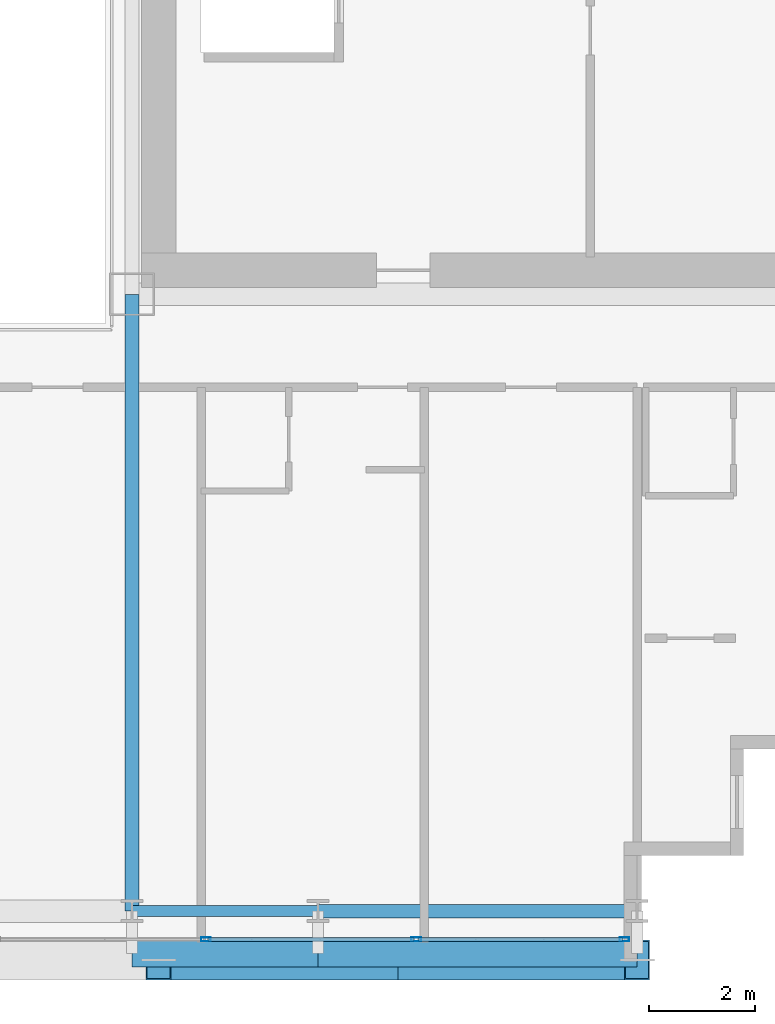
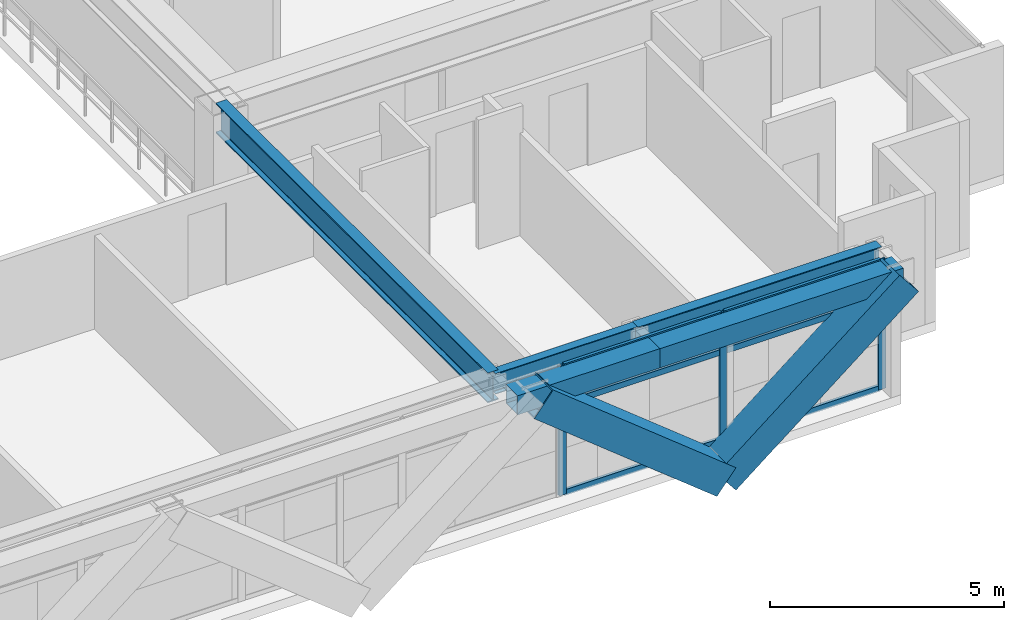
# One storey, part 10 of 35: 11 members, 5 beams, 1 element without a shape of its own.
"""IFC4 building model written with IfcOpenShell, lengths in metres."""

from ifc_helpers import new_model, si_unit, direction, frame, origin, origin_2d, place, context, subcontext, project, spatial, hollow_rectangle, i_section, extrude, source, transform, mapped, material, layer, layer_set, material_profile, profile_set, type_object, element, aggregate, save


model = new_model("IFC4")

# Units and contexts
model_context = context("Model", 3, precision=1e-05, world=origin(), true_north=direction((0.0, 1.0)))
body_context = subcontext(model_context, "Body", "Model", "MODEL_VIEW")
ifc_project = project(units=[si_unit("LENGTHUNIT", "METRE"), si_unit("AREAUNIT", "SQUARE_METRE"), si_unit("VOLUMEUNIT", "CUBIC_METRE"), si_unit("PLANEANGLEUNIT", "RADIAN"), si_unit("MASSUNIT", "GRAM", prefix="KILO")], contexts=[model_context])

# Site, building, storey
site_placement = place(None, origin())
site = spatial("IfcSite", under=ifc_project, at=site_placement, CompositionType="ELEMENT")
building_placement = place(site_placement, origin())
building = spatial("IfcBuilding", under=site, at=building_placement, Name="Ocotamira Hotel", CompositionType="ELEMENT")
storey_placement = place(building_placement, frame((0.0, 0.0, 122.39990234375)))
storey = spatial("IfcBuildingStorey", under=building, at=storey_placement, Name="L30", CompositionType="ELEMENT", Elevation=122.39990234375)

# Beams
ifc_material_1 = material(Name="Steel ASTM A992 Grade 50", Category="steel")
ifc_material_profile_1 = material_profile(ifc_material_1, i_section(OverallWidth=0.256103515625, OverallDepth=0.693115234375, WebThickness=0.014404296875, FlangeThickness=0.023681640625, FilletRadius=0.01611328125, at=origin_2d()), Name="W27X114")
ifc_profile_set_1 = profile_set([ifc_material_profile_1], Name="Steel ASTM A992 Grade 50")
beam_type_1 = type_object("IfcBeamType", Name="BM-PRIM-W27X114", PredefinedType="BEAM", material=ifc_profile_set_1)
shared_shape_1 = source(origin(), body_context, "Body", "SweptSolid", [
    extrude(i_section(OverallWidth=0.256103515625, OverallDepth=0.693115234375, WebThickness=0.014404296875, FlangeThickness=0.023681640625, FilletRadius=0.01611328125, at=origin_2d()), origin(), (0.0, 0.0, 1.0), 6.0),
])
beam_1_placement = place(storey_placement, frame((44.0, 2.949951171875, 3.013671875), z_axis=(1.0, 0.0, 0.0), x_axis=(0.0, 1.0, 0.0)))
element("IfcBeam", 1, at=beam_1_placement, inside=storey, type_object=beam_type_1, Name="L30 Girder Y2.95 X44-50", PredefinedType="BEAM", context=body_context, shape_type="MappedRepresentation", body=[
    mapped(shared_shape_1, transform((0.0, 0.0, 0.0), scale=1.0)),
])
ifc_material_profile_2 = material_profile(ifc_material_1, i_section(OverallWidth=0.2099609375, OverallDepth=0.537109375, WebThickness=0.010986328125, FlangeThickness=0.017333984375, FilletRadius=0.012939453125, at=origin_2d()), Name="W21X68")
ifc_profile_set_2 = profile_set([ifc_material_profile_2], Name="Steel ASTM A992 Grade 50")
beam_type_2 = type_object("IfcBeamType", Name="BM-SEC-W21X68", PredefinedType="JOIST", material=ifc_profile_set_2)
shared_shape_2 = source(origin(), body_context, "Body", "SweptSolid", [
    extrude(i_section(OverallWidth=0.2099609375, OverallDepth=0.537109375, WebThickness=0.010986328125, FlangeThickness=0.017333984375, FilletRadius=0.012939453125, at=origin_2d()), origin(), (0.0, 0.0, 1.0), 3.5),
])
beam_2_placement = place(storey_placement, frame((40.5, 2.949951171875, 3.091552734375), z_axis=(1.0, 0.0, 0.0), x_axis=(0.0, 1.0, 0.0)))
element("IfcBeam", 2, at=beam_2_placement, inside=storey, type_object=beam_type_2, Name="L30 Girder Y2.95 X40.5-44", PredefinedType="JOIST", context=body_context, shape_type="MappedRepresentation", body=[
    mapped(shared_shape_2, transform((0.0, 0.0, 0.0), scale=1.0)),
])
ifc_material_profile_3 = material_profile(ifc_material_1, i_section(OverallWidth=0.26611328125, OverallDepth=0.779052734375, WebThickness=0.0166015625, FlangeThickness=0.030029296875, FilletRadius=0.01806640625, at=origin_2d()), Name="W30X148")
ifc_profile_set_3 = profile_set([ifc_material_profile_3], Name="Steel ASTM A992 Grade 50")
beam_type_3 = type_object("IfcBeamType", Name="BM-GIRD-W30X148", PredefinedType="BEAM", material=ifc_profile_set_3)
shared_shape_3 = source(origin(), body_context, "Body", "SweptSolid", [
    extrude(i_section(OverallWidth=0.26611328125, OverallDepth=0.779052734375, WebThickness=0.0166015625, FlangeThickness=0.030029296875, FilletRadius=0.01806640625, at=origin_2d()), origin(), (0.0, 0.0, 1.0), 11.60009765625),
])
beam_3_placement = place(storey_placement, frame((40.5, 2.949951171875, 2.970703125), z_axis=(0.0, 1.0, 0.0), x_axis=(-1.0, 0.0, 0.0)))
element("IfcBeam", 3, at=beam_3_placement, inside=storey, type_object=beam_type_3, Name="L30 Beam X40.5 Y2.95-14.55", PredefinedType="BEAM", context=body_context, shape_type="MappedRepresentation", body=[
    mapped(shared_shape_3, transform((0.0, 0.0, 0.0), scale=1.0)),
])
ifc_material_2 = material(Name="Steel ASTM A500 Grade C", Category="steel")
ifc_material_profile_4 = material_profile(ifc_material_2, hollow_rectangle(XDim=0.5, YDim=0.5, WallThickness=0.02001953125, at=origin_2d()), Name="HSS500X500X20")
ifc_profile_set_4 = profile_set([ifc_material_profile_4], Name="Steel ASTM A500 Grade C")
beam_type_4 = type_object("IfcBeamType", Name="BM-SPAN-HSS500", PredefinedType="USERDEFINED", material=ifc_profile_set_4)
shared_shape_4 = source(origin(), body_context, "Body", "SweptSolid", [
    extrude(hollow_rectangle(XDim=0.5, YDim=0.5, WallThickness=0.02001953125, at=origin_2d()), origin(), (0.0, 0.0, 1.0), 6.0),
])
beam_4_placement = place(storey_placement, frame((44.0, 2.14990234375, 3.110107421875), z_axis=(1.0, 0.0, 0.0), x_axis=(0.0, 1.0, 0.0)))
element("IfcBeam", 4, at=beam_4_placement, inside=storey, type_object=beam_type_4, Name="L30 Edge Spandrel S X44-50", ObjectType="SPANDREL", PredefinedType="USERDEFINED", context=body_context, shape_type="MappedRepresentation", body=[
    mapped(shared_shape_4, transform((0.0, 0.0, 0.0), scale=1.0)),
])
shared_shape_5 = source(origin(), body_context, "Body", "SweptSolid", [
    extrude(hollow_rectangle(XDim=0.5, YDim=0.5, WallThickness=0.02001953125, at=origin_2d()), origin(), (0.0, 0.0, 1.0), 3.5),
])
beam_5_placement = place(storey_placement, frame((40.5, 2.14990234375, 3.110107421875), z_axis=(1.0, 0.0, 0.0), x_axis=(0.0, 1.0, 0.0)))
element("IfcBeam", 5, at=beam_5_placement, inside=storey, type_object=beam_type_4, Name="L30 Edge Spandrel S X40.5-44", ObjectType="SPANDREL", PredefinedType="USERDEFINED", context=body_context, shape_type="MappedRepresentation", body=[
    mapped(shared_shape_5, transform((0.0, 0.0, 0.0), scale=1.0)),
])

# Members
ifc_material_3 = material(Name="Pale-metal coated steel ASTM A913 Grade 65", Category="steel")
ifc_material_profile_5 = material_profile(ifc_material_3, hollow_rectangle(XDim=0.75, YDim=0.75, WallThickness=0.028076171875, at=origin_2d()), Name="BOX750X750X28")
ifc_profile_set_5 = profile_set([ifc_material_profile_5], Name="Pale-metal coated steel ASTM A913 Grade 65")
member_type_1 = type_object("IfcMemberType", Name="MEM-EXO-BOX750", PredefinedType="BRACE", material=ifc_profile_set_5)
shared_shape_6 = source(origin(), body_context, "Body", "SweptSolid", [
    extrude(hollow_rectangle(XDim=0.75, YDim=0.75, WallThickness=0.028076171875, at=origin_2d()), origin(), (0.0, 0.0, 1.0), 5.762939453125),
])
for number, where, z_axis, x_axis, name in (
    (6, (45.5, 2.030029296875, -0.489990234375), (-0.780860543151, 0.0, 0.624705380279), (0.0, -1.0, 0.0), "L30 Exoskeleton Diagrid S3.1"),
    (7, (45.5, 2.030029296875, -0.489990234375), (0.780860543151, 0.0, 0.624705380279), (0.0, 1.0, 0.0), "L30 Exoskeleton Diagrid S3.2"),
):
    element("IfcMember", number, at=place(storey_placement, frame(where, z_axis=z_axis, x_axis=x_axis)), inside=storey, type_object=member_type_1, Name=name, PredefinedType="BRACE", context=body_context, shape_type="MappedRepresentation", body=[
        mapped(shared_shape_6, transform((0.0, 0.0, 0.0), scale=1.0)),
    ])

# Curtain wall, members
ifc_material_4 = material(Name="Anodised pale-metal aluminium and solar glass", Category="aluminium")
ifc_layer = layer(ifc_material_4, 0.179931640625)
ifc_layer_set = layer_set([ifc_layer], Name="Anodised pale-metal aluminium and solar glass")
curtain_wall_type = type_object("IfcCurtainWallType", Name="CW-SYS3-Z2", PredefinedType="NOTDEFINED", material=ifc_layer_set)
curtain_wall_placement = place(storey_placement, origin())
curtain_wall = element("IfcCurtainWall", 8, at=curtain_wall_placement, inside=storey, type_object=curtain_wall_type, Name="L30 Curtain Wall CW-3 CW-L30-S1", PredefinedType="NOTDEFINED")
ifc_material_5 = material(Name="Anodised pale-metal aluminium 6063-T6", Category="aluminium")
ifc_material_profile_6 = material_profile(ifc_material_5, hollow_rectangle(XDim=0.074951171875, YDim=0.14990234375, WallThickness=0.006103515625, at=origin_2d()), Name="HSS150X75X6")
ifc_profile_set_6 = profile_set([ifc_material_profile_6], Name="Anodised pale-metal aluminium 6063-T6")
member_type_2 = type_object("IfcMemberType", Name="CWT-150X75", PredefinedType="USERDEFINED", material=ifc_profile_set_6)
shared_shape_7 = source(origin(), body_context, "Body", "SweptSolid", [
    extrude(hollow_rectangle(XDim=0.074951171875, YDim=0.14990234375, WallThickness=0.006103515625, at=origin_2d()), origin(), (0.0, 0.0, 1.0), 3.83544921875),
])
member_1_placement = place(storey_placement, frame((45.884521484375, 2.419921875, 0.03759765625), z_axis=(1.0, 0.0, 0.0), x_axis=(0.0, 1.0, 0.0)))
member_1 = element("IfcMember", 9, at=member_1_placement, type_object=member_type_2, Name="CW-3 transom 9.1", ObjectType="TRANSOM", PredefinedType="USERDEFINED", context=body_context, shape_type="MappedRepresentation", body=[
    mapped(shared_shape_7, transform((0.0, 0.0, 0.0), scale=1.0)),
])
member_2_placement = place(storey_placement, frame((45.884521484375, 2.419921875, 2.35009765625), z_axis=(1.0, 0.0, 0.0), x_axis=(0.0, 1.0, 0.0)))
member_2 = element("IfcMember", 10, at=member_2_placement, type_object=member_type_2, Name="CW-3 transom 9.2", ObjectType="TRANSOM", PredefinedType="USERDEFINED", context=body_context, shape_type="MappedRepresentation", body=[
    mapped(shared_shape_7, transform((0.0, 0.0, 0.0), scale=1.0)),
])
member_3_placement = place(storey_placement, frame((45.884521484375, 2.419921875, 3.322509765625), z_axis=(1.0, 0.0, 0.0), x_axis=(0.0, 1.0, 0.0)))
member_3 = element("IfcMember", 11, at=member_3_placement, type_object=member_type_2, Name="CW-3 transom 9.3", ObjectType="TRANSOM", PredefinedType="USERDEFINED", context=body_context, shape_type="MappedRepresentation", body=[
    mapped(shared_shape_7, transform((0.0, 0.0, 0.0), scale=1.0)),
])
shared_shape_8 = source(origin(), body_context, "Body", "SweptSolid", [
    extrude(hollow_rectangle(XDim=0.074951171875, YDim=0.14990234375, WallThickness=0.006103515625, at=origin_2d()), origin(), (0.0, 0.0, 1.0), 3.87548828125),
])
member_4_placement = place(storey_placement, frame((41.928955078125, 2.419921875, 0.03759765625), z_axis=(1.0, 0.0, 0.0), x_axis=(0.0, 1.0, 0.0)))
member_4 = element("IfcMember", 12, at=member_4_placement, type_object=member_type_2, Name="CW-3 transom 8.1", ObjectType="TRANSOM", PredefinedType="USERDEFINED", context=body_context, shape_type="MappedRepresentation", body=[
    mapped(shared_shape_8, transform((0.0, 0.0, 0.0), scale=1.0)),
])
member_5_placement = place(storey_placement, frame((41.928955078125, 2.419921875, 2.35009765625), z_axis=(1.0, 0.0, 0.0), x_axis=(0.0, 1.0, 0.0)))
member_5 = element("IfcMember", 13, at=member_5_placement, type_object=member_type_2, Name="CW-3 transom 8.2", ObjectType="TRANSOM", PredefinedType="USERDEFINED", context=body_context, shape_type="MappedRepresentation", body=[
    mapped(shared_shape_8, transform((0.0, 0.0, 0.0), scale=1.0)),
])
member_6_placement = place(storey_placement, frame((41.928955078125, 2.419921875, 3.322509765625), z_axis=(1.0, 0.0, 0.0), x_axis=(0.0, 1.0, 0.0)))
member_6 = element("IfcMember", 14, at=member_6_placement, type_object=member_type_2, Name="CW-3 transom 8.3", ObjectType="TRANSOM", PredefinedType="USERDEFINED", context=body_context, shape_type="MappedRepresentation", body=[
    mapped(shared_shape_8, transform((0.0, 0.0, 0.0), scale=1.0)),
])
ifc_material_profile_7 = material_profile(ifc_material_5, hollow_rectangle(XDim=0.080078125, YDim=0.179931640625, WallThickness=0.006103515625, at=origin_2d()), Name="HSS180X80X6")
ifc_profile_set_7 = profile_set([ifc_material_profile_7], Name="Anodised pale-metal aluminium 6063-T6")
member_type_3 = type_object("IfcMemberType", Name="CWM-180X75", PredefinedType="MULLION", material=ifc_profile_set_7)
shared_shape_9 = source(origin(), body_context, "Body", "SweptSolid", [
    extrude(hollow_rectangle(XDim=0.080078125, YDim=0.179931640625, WallThickness=0.006103515625, at=origin_2d()), origin(), (0.0, 0.0, 1.0), 3.360107421875),
])
member_7_placement = place(storey_placement, frame((41.888916015625, 2.419921875, 0.0), z_axis=(0.0, 0.0, 1.0), x_axis=(0.0, 1.0, 0.0)))
member_7 = element("IfcMember", 15, at=member_7_placement, type_object=member_type_3, Name="CW-3 mullion 8", PredefinedType="MULLION", context=body_context, shape_type="MappedRepresentation", body=[
    mapped(shared_shape_9, transform((0.0, 0.0, 0.0), scale=1.0)),
])
member_8_placement = place(storey_placement, frame((45.844482421875, 2.419921875, 0.0), z_axis=(0.0, 0.0, 1.0), x_axis=(0.0, 1.0, 0.0)))
member_8 = element("IfcMember", 16, at=member_8_placement, type_object=member_type_3, Name="CW-3 mullion 9", PredefinedType="MULLION", context=body_context, shape_type="MappedRepresentation", body=[
    mapped(shared_shape_9, transform((0.0, 0.0, 0.0), scale=1.0)),
])
member_9_placement = place(storey_placement, frame((49.760009765625, 2.419921875, 0.0), z_axis=(0.0, 0.0, 1.0), x_axis=(0.0, 1.0, 0.0)))
member_9 = element("IfcMember", 17, at=member_9_placement, type_object=member_type_3, Name="CW-3 mullion 10", PredefinedType="MULLION", context=body_context, shape_type="MappedRepresentation", body=[
    mapped(shared_shape_9, transform((0.0, 0.0, 0.0), scale=1.0)),
])
aggregate(curtain_wall, [member_7, member_8, member_9, member_4, member_5, member_6, member_1, member_2, member_3])

save(model, "model.ifc")
